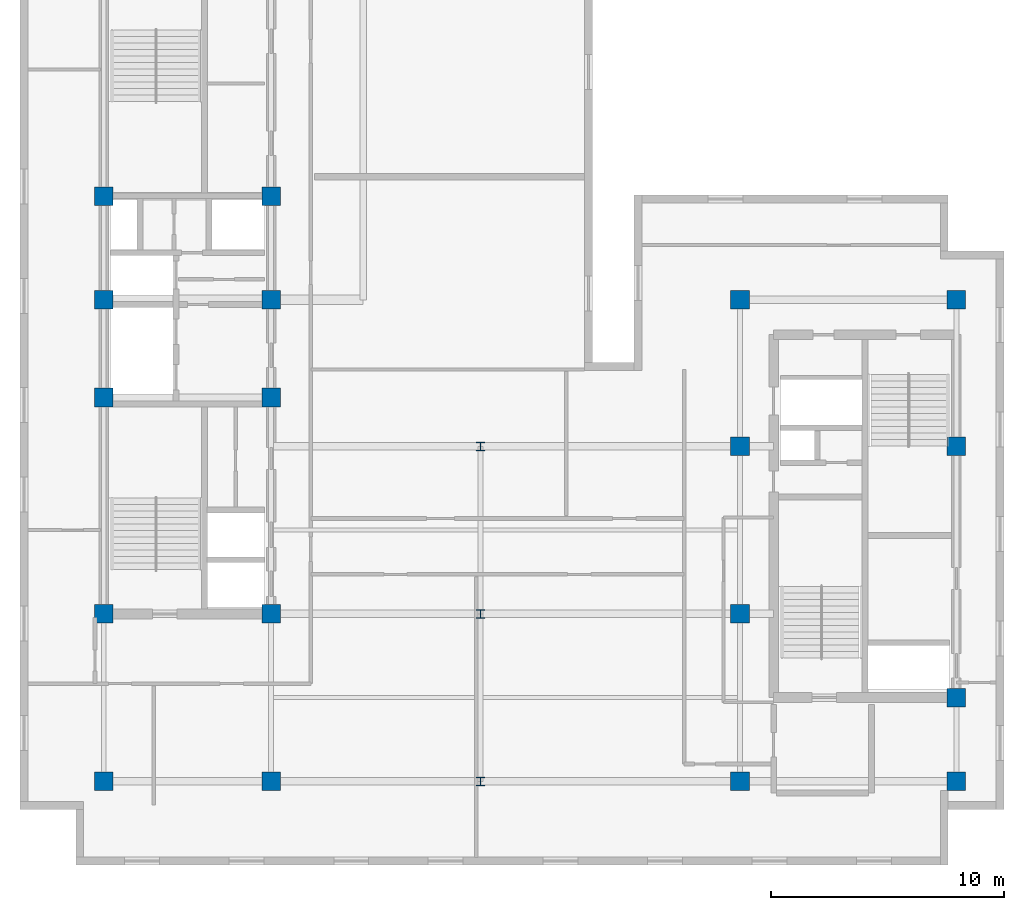
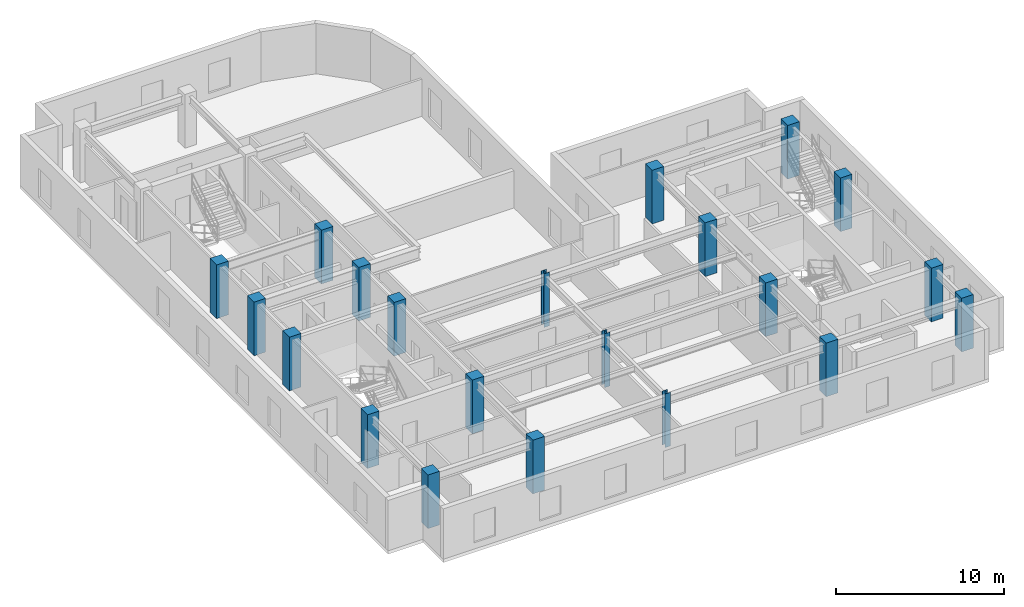
# One storey, part 1 of 9: 21 columns.
"""IFC4 building model written with IfcOpenShell, lengths in metres."""

from ifc_helpers import new_model, entity, si_unit, converted_unit, direction, frame, origin_with_axes, origin_2d_with_axis, place, context, subcontext, project, spatial, rectangle, i_section, extrude, material, material_profile, profile_set, type_object, element, save


model = new_model("IFC4")

# Units and contexts
model_context = context("Model", 3, precision=1e-05, world=origin_with_axes(), true_north=direction((0.0, 1.0)))
body_context = subcontext(model_context, "Body", "Model", "MODEL_VIEW")
ifc_project = project(units=[si_unit("LENGTHUNIT", "METRE"), si_unit("AREAUNIT", "SQUARE_METRE"), si_unit("VOLUMEUNIT", "CUBIC_METRE"), converted_unit("PLANEANGLEUNIT", "DEGREE", entity("IfcPlaneAngleMeasure", 0.017453292519943295), si_unit("PLANEANGLEUNIT", "RADIAN"), dimensions=[0, 0, 0, 0, 0, 0, 0]), si_unit("MASSUNIT", "GRAM", prefix="KILO"), si_unit("THERMODYNAMICTEMPERATUREUNIT", "KELVIN")], contexts=[model_context])

# Site, building, storey
site_placement = place(None, origin_with_axes())
site = spatial("IfcSite", under=ifc_project, at=site_placement, CompositionType="ELEMENT")
building_placement = place(site_placement, origin_with_axes())
building = spatial("IfcBuilding", under=site, at=building_placement, Name="Varnlund Millrace Tower", CompositionType="ELEMENT")
storey_placement = place(building_placement, frame((0.0, 0.0, 256.8), z_axis=(0.0, 0.0, 1.0), x_axis=(1.0, 0.0, 0.0)))
storey = spatial("IfcBuildingStorey", under=building, at=storey_placement, Name="L63", CompositionType="ELEMENT", Elevation=256.8)

# Columns
ifc_material_1 = material(Name="Steel ASTM A992 Grade 50", Category="steel")
ifc_material_profile_1 = material_profile(ifc_material_1, i_section(OverallWidth=0.369, OverallDepth=0.356, WebThickness=0.0112, FlangeThickness=0.018, FilletRadius=0.018, at=origin_2d_with_axis()), Name="Steel ASTM A992 Grade 50")
ifc_profile_set_1 = profile_set([ifc_material_profile_1], Name="Steel ASTM A992 Grade 50")
column_type_1 = type_object("IfcColumnType", Name="Type-Col-Int-W14X90", PredefinedType="COLUMN", material=ifc_profile_set_1)
for number, where, z_axis, x_axis, name in (
    (1, (27.6, 3.6, 0.0), (0.0, 0.0, 1.0), (1.0, 0.0, 0.0), "Type-Col-Int-W14X90"),
    (2, (27.6, 10.8, 0.0), (0.0, 0.0, 1.0), (1.0, 0.0, 0.0), "Type-Col-Int-W14X90"),
    (3, (27.6, 18.0, 0.0), (0.0, 0.0, 1.0), (1.0, 0.0, 0.0), "Type-Col-Int-W14X90"),
):
    element("IfcColumn", number, at=place(storey_placement, frame(where, z_axis=z_axis, x_axis=x_axis)), inside=storey, type_object=column_type_1, Name=name, PredefinedType="COLUMN", context=body_context, shape_type="SweptSolid", body=[
        extrude(i_section(OverallWidth=0.369, OverallDepth=0.356, WebThickness=0.0112, FlangeThickness=0.018, FilletRadius=0.018, at=origin_2d_with_axis()), origin_with_axes(), (0.0, 0.0, 1.0), 3.9),
    ])
ifc_material_2 = material(Name="Concrete C60/75", Category="concrete")
ifc_material_profile_2 = material_profile(ifc_material_2, rectangle(XDim=0.8, YDim=0.8, at=origin_2d_with_axis()), Name="Concrete C60/75")
ifc_profile_set_2 = profile_set([ifc_material_profile_2], Name="Concrete C60/75")
column_type_2 = type_object("IfcColumnType", Name="Type-Col-RC800-C60", PredefinedType="COLUMN", material=ifc_profile_set_2)
for number, where, z_axis, x_axis, name in (
    (4, (11.4, 3.6, 0.0), (0.0, 0.0, 1.0), (1.0, 0.0, 0.0), "Type-Col-RC800-C60"),
    (5, (11.4, 10.8, 0.0), (0.0, 0.0, 1.0), (1.0, 0.0, 0.0), "Type-Col-RC800-C60"),
    (6, (11.4, 20.1, 0.0), (0.0, 0.0, 1.0), (1.0, 0.0, 0.0), "Type-Col-RC800-C60"),
    (7, (11.4, 24.3, 0.0), (0.0, 0.0, 1.0), (1.0, 0.0, 0.0), "Type-Col-RC800-C60"),
    (8, (11.4, 28.75, 0.0), (0.0, 0.0, 1.0), (1.0, 0.0, 0.0), "Type-Col-RC800-C60"),
    (9, (18.6, 3.6, 0.0), (0.0, 0.0, 1.0), (1.0, 0.0, 0.0), "Type-Col-RC800-C60"),
    (10, (18.6, 10.8, 0.0), (0.0, 0.0, 1.0), (1.0, 0.0, 0.0), "Type-Col-RC800-C60"),
    (11, (18.6, 20.1, 0.0), (0.0, 0.0, 1.0), (1.0, 0.0, 0.0), "Type-Col-RC800-C60"),
    (12, (18.6, 24.3, 0.0), (0.0, 0.0, 1.0), (1.0, 0.0, 0.0), "Type-Col-RC800-C60"),
    (13, (18.6, 28.75, 0.0), (0.0, 0.0, 1.0), (1.0, 0.0, 0.0), "Type-Col-RC800-C60"),
    (14, (38.75, 3.6, 0.0), (0.0, 0.0, 1.0), (1.0, 0.0, 0.0), "Type-Col-RC800-C60"),
    (15, (38.75, 10.8, 0.0), (0.0, 0.0, 1.0), (1.0, 0.0, 0.0), "Type-Col-RC800-C60"),
    (16, (38.75, 18.0, 0.0), (0.0, 0.0, 1.0), (1.0, 0.0, 0.0), "Type-Col-RC800-C60"),
    (17, (38.75, 24.3, 0.0), (0.0, 0.0, 1.0), (1.0, 0.0, 0.0), "Type-Col-RC800-C60"),
    (18, (48.05, 3.6, 0.0), (0.0, 0.0, 1.0), (1.0, 0.0, 0.0), "Type-Col-RC800-C60"),
    (19, (48.05, 7.2, 0.0), (0.0, 0.0, 1.0), (1.0, 0.0, 0.0), "Type-Col-RC800-C60"),
    (20, (48.05, 18.0, 0.0), (0.0, 0.0, 1.0), (1.0, 0.0, 0.0), "Type-Col-RC800-C60"),
    (21, (48.05, 24.3, 0.0), (0.0, 0.0, 1.0), (1.0, 0.0, 0.0), "Type-Col-RC800-C60"),
):
    element("IfcColumn", number, at=place(storey_placement, frame(where, z_axis=z_axis, x_axis=x_axis)), inside=storey, type_object=column_type_2, Name=name, PredefinedType="COLUMN", context=body_context, shape_type="SweptSolid", body=[
        extrude(rectangle(XDim=0.8, YDim=0.8, at=origin_2d_with_axis()), origin_with_axes(), (0.0, 0.0, 1.0), 3.9),
    ])

save(model, "model.ifc")
